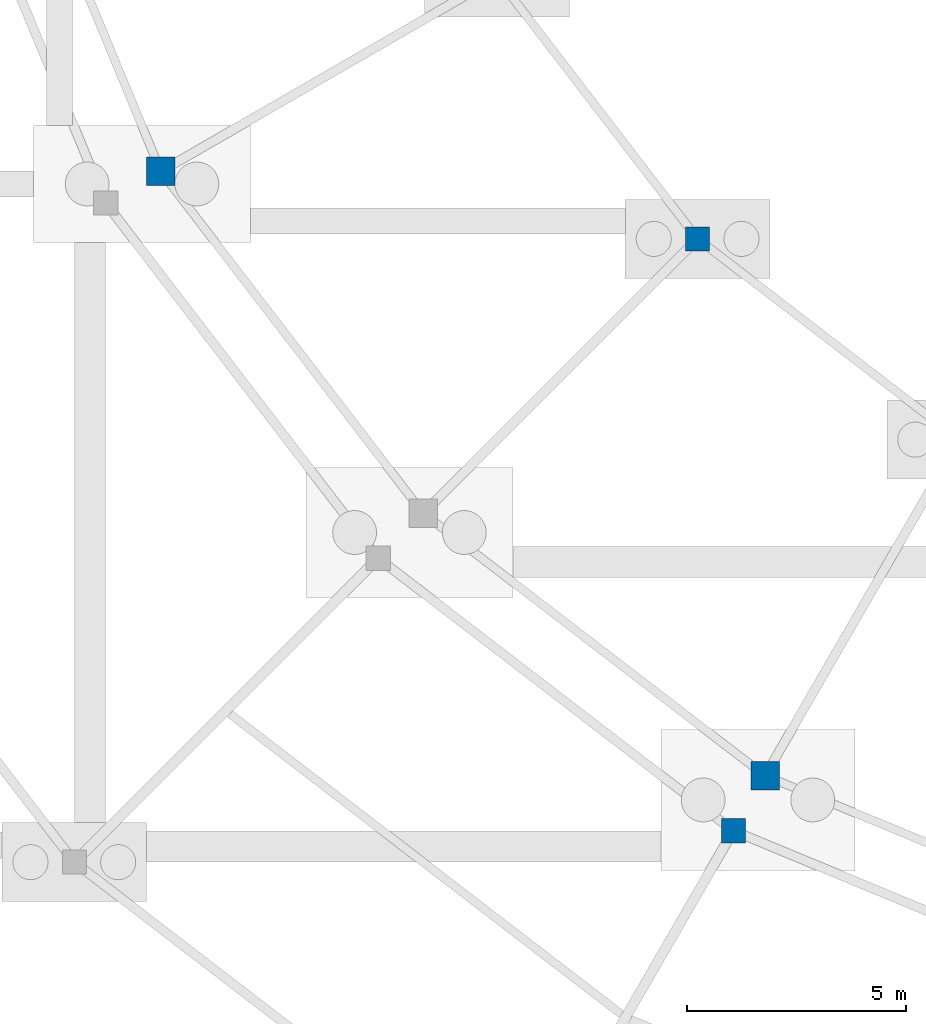
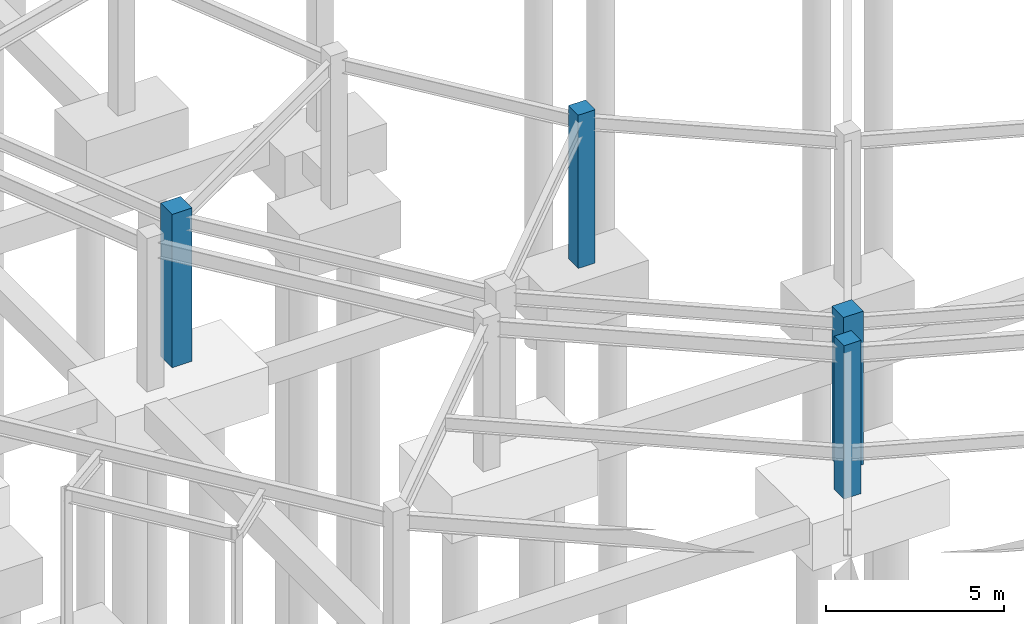
# One storey, part 12 of 55: 4 columns.
"""IFC4 building model written with IfcOpenShell, lengths in metres."""

from ifc_helpers import new_model, si_unit, direction, frame, origin, origin_2d, place, context, subcontext, project, spatial, rectangle, extrude, material, material_profile, profile_set, type_object, element, save


model = new_model("IFC4")

# Units and contexts
model_context = context("Model", 3, precision=1e-05, world=origin(), true_north=direction((0.0, 1.0)))
body_context = subcontext(model_context, "Body", "Model", "MODEL_VIEW")
ifc_project = project(units=[si_unit("LENGTHUNIT", "METRE"), si_unit("AREAUNIT", "SQUARE_METRE"), si_unit("VOLUMEUNIT", "CUBIC_METRE"), si_unit("PLANEANGLEUNIT", "RADIAN"), si_unit("MASSUNIT", "GRAM", prefix="KILO")], contexts=[model_context])

# Site, building, storey
site_placement = place(None, origin())
site = spatial("IfcSite", under=ifc_project, at=site_placement, CompositionType="ELEMENT")
building_placement = place(site_placement, origin())
building = spatial("IfcBuilding", under=site, at=building_placement, Name="Almandine Court Research Institute", CompositionType="ELEMENT")
storey_placement = place(building_placement, frame((0.0, 0.0, -5.25)))
storey = spatial("IfcBuildingStorey", under=building, at=storey_placement, Name="B1", CompositionType="ELEMENT", Elevation=-5.25)

# Columns
ifc_material = material(Name="Concrete C40/50", Category="concrete")
ifc_material_profile_1 = material_profile(ifc_material, rectangle(XDim=0.64990234375, YDim=0.64990234375, at=origin_2d()), Name="RC 650x650")
ifc_profile_set_1 = profile_set([ifc_material_profile_1], Name="Concrete C40/50")
column_type_1 = type_object("IfcColumnType", Name="Col-C-RC2", PredefinedType="COLUMN", material=ifc_profile_set_1)
for number, where, z_axis, x_axis, name in (
    (1, (54.39404296875, 37.175048828125, 0.0), (0.0, 0.0, 1.0), (1.0, 0.0, 0.0), "B1 V2 Column V2-OUT-S14"),
    (2, (68.175048828125, 23.39404296875, 0.0), (0.0, 0.0, 1.0), (1.0, 0.0, 0.0), "B1 V2 Column V2-OUT-S16"),
):
    element("IfcColumn", number, at=place(storey_placement, frame(where, z_axis=z_axis, x_axis=x_axis)), inside=storey, type_object=column_type_1, Name=name, PredefinedType="COLUMN", context=body_context, shape_type="SweptSolid", body=[
        extrude(rectangle(XDim=0.64990234375, YDim=0.64990234375, at=origin_2d()), origin(), (0.0, 0.0, 1.0), 5.25),
    ])
ifc_material_profile_2 = material_profile(ifc_material, rectangle(XDim=0.550048828125, YDim=0.550048828125, at=origin_2d()), Name="RC 550x550")
ifc_profile_set_2 = profile_set([ifc_material_profile_2], Name="Concrete C40/50")
column_type_2 = type_object("IfcColumnType", Name="Col-C-RC3", PredefinedType="COLUMN", material=ifc_profile_set_2)
for number, where, z_axis, x_axis, name in (
    (3, (67.449951171875, 22.137939453125, 0.0), (0.0, 0.0, 1.0), (1.0, 0.0, 0.0), "B1 V5 Column V5-IN-S16"),
    (4, (66.635009765625, 35.635009765625, 0.0), (0.0, 0.0, 1.0), (1.0, 0.0, 0.0), "B1 V2 Column V2-MID-S15"),
):
    element("IfcColumn", number, at=place(storey_placement, frame(where, z_axis=z_axis, x_axis=x_axis)), inside=storey, type_object=column_type_2, Name=name, PredefinedType="COLUMN", context=body_context, shape_type="SweptSolid", body=[
        extrude(rectangle(XDim=0.550048828125, YDim=0.550048828125, at=origin_2d()), origin(), (0.0, 0.0, 1.0), 5.25),
    ])

save(model, "model.ifc")
